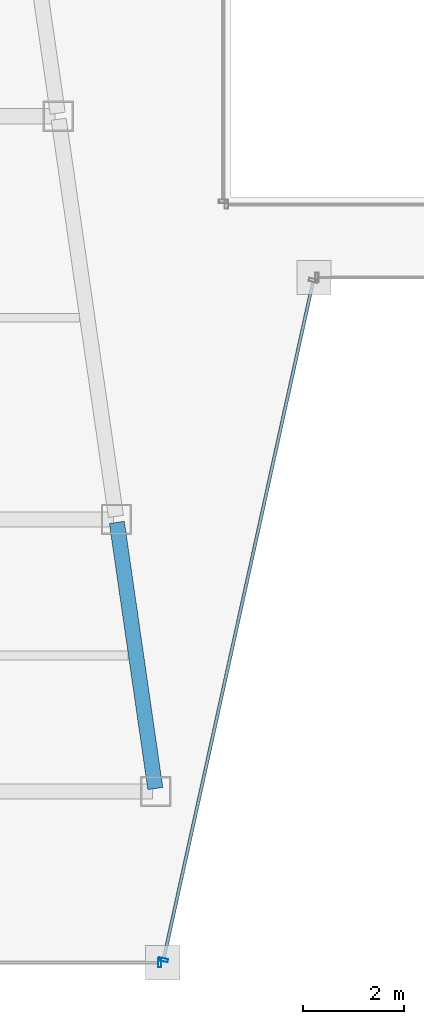
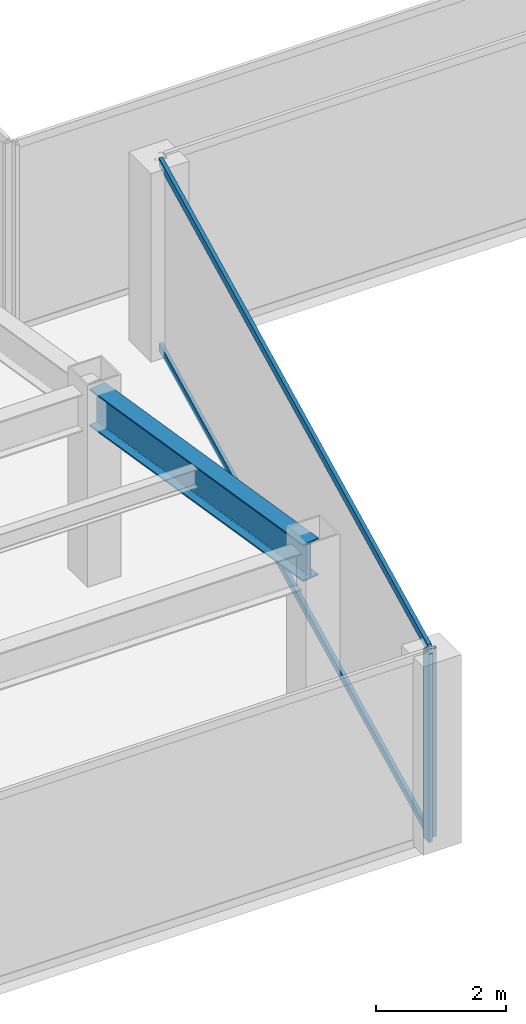
# One storey, part 5 of 36: 4 members, 1 beam, 2 elements without a shape of their own.
"""IFC4 building model written with IfcOpenShell, lengths in metres."""

from ifc_helpers import new_model, si_unit, direction, frame, origin, origin_2d, place, context, subcontext, project, spatial, hollow_rectangle, i_section, extrude, material, material_profile, profile_set, type_object, element, aggregate, save


model = new_model("IFC4")

# Units and contexts
model_context = context("Model", 3, precision=1e-05, world=origin(), true_north=direction((0.0, 1.0)))
body_context = subcontext(model_context, "Body", "Model", "MODEL_VIEW")
ifc_project = project(units=[si_unit("LENGTHUNIT", "METRE"), si_unit("AREAUNIT", "SQUARE_METRE"), si_unit("VOLUMEUNIT", "CUBIC_METRE"), si_unit("PLANEANGLEUNIT", "RADIAN"), si_unit("MASSUNIT", "GRAM", prefix="KILO")], contexts=[model_context])

# Site, building, storey
site_placement = place(None, origin())
site = spatial("IfcSite", under=ifc_project, at=site_placement, CompositionType="ELEMENT")
building_placement = place(site_placement, origin())
building = spatial("IfcBuilding", under=site, at=building_placement, Name="Saevonmaru Cultural Tower", CompositionType="ELEMENT")
storey_placement = place(building_placement, frame((0.0, 0.0, 156.199951171875)))
storey = spatial("IfcBuildingStorey", under=building, at=storey_placement, Name="L34", CompositionType="ELEMENT", Elevation=156.199951171875)

# Beam
ifc_material_1 = material(Name="Steel SM355", Category="steel")
ifc_material_profile_1 = material_profile(ifc_material_1, i_section(OverallWidth=0.300048828125, OverallDepth=0.699951171875, WebThickness=0.012939453125, FlangeThickness=0.02392578125, FilletRadius=0.02587890625, at=origin_2d()), Name="H-700x300x13x24")
ifc_profile_set_1 = profile_set([ifc_material_profile_1], Name="Steel SM355")
beam_type = type_object("IfcBeamType", Name="BM-G-H700", PredefinedType="BEAM", material=ifc_profile_set_1)
beam_placement = place(storey_placement, frame((22.699462890625, 10.659423828125, 3.199951171875), z_axis=(-0.142977693794, 0.989725911087, 0.0), x_axis=(-0.989725911087, -0.142977693794, 0.0)))
element("IfcBeam", 1, at=beam_placement, inside=storey, type_object=beam_type, Name="L34 West Atrium Girder 1", PredefinedType="BEAM", context=body_context, shape_type="SweptSolid", body=[
    extrude(i_section(OverallWidth=0.300048828125, OverallDepth=0.699951171875, WebThickness=0.012939453125, FlangeThickness=0.02392578125, FilletRadius=0.02587890625, at=origin_2d()), origin(), (0.0, 0.0, 1.0), 5.336181640625),
])

# Curtain wall, member
ifc_material_2 = material(Name="Satin Bronze Anodised Aluminium", Category="aluminium")
curtain_wall_type = type_object("IfcCurtainWallType", Name="CW-TYP-A", PredefinedType="NOTDEFINED", material=ifc_material_2)
curtain_wall_1_placement = place(storey_placement, origin())
curtain_wall_1 = element("IfcCurtainWall", 2, at=curtain_wall_1_placement, inside=storey, type_object=curtain_wall_type, Name="L34 Unitised Curtain Wall E2", PredefinedType="NOTDEFINED")
ifc_material_profile_2 = material_profile(ifc_material_2, hollow_rectangle(XDim=0.06494140625, YDim=0.179931640625, WallThickness=0.00390625, at=origin_2d()), Name="ALU-MULL-180x65x4")
ifc_profile_set_2 = profile_set([ifc_material_profile_2], Name="Satin Bronze Anodised Aluminium")
member_type_1 = type_object("IfcMemberType", Name="ML-CW-180x65", PredefinedType="MULLION", material=ifc_profile_set_2)
member_1_placement = place(storey_placement, frame((22.788818359375, 7.199951171875, 0.0), z_axis=(0.0, 0.0, 1.0), x_axis=(1.0, 0.0, 0.0)))
member_1 = element("IfcMember", 3, at=member_1_placement, type_object=member_type_1, Name="CW-TW-L34-E2 mullion 2", PredefinedType="MULLION", context=body_context, shape_type="SweptSolid", body=[
    extrude(hollow_rectangle(XDim=0.06494140625, YDim=0.179931640625, WallThickness=0.00390625, at=origin_2d()), origin(), (0.0, 0.0, 1.0), 3.550048828125),
])
aggregate(curtain_wall_1, [member_1])

# Curtain wall, members
curtain_wall_2_placement = place(storey_placement, origin())
curtain_wall_2 = element("IfcCurtainWall", 4, at=curtain_wall_2_placement, inside=storey, type_object=curtain_wall_type, Name="L34 Unitised Curtain Wall E3", PredefinedType="NOTDEFINED")
member_2_placement = place(storey_placement, frame((22.86181640625, 7.258544921875, 0.0), z_axis=(0.0, 0.0, 1.0), x_axis=(0.215413319953, 0.976522965212, 0.0)))
member_2 = element("IfcMember", 5, at=member_2_placement, type_object=member_type_1, Name="CW-TW-L34-E3 mullion 1", PredefinedType="MULLION", context=body_context, shape_type="SweptSolid", body=[
    extrude(hollow_rectangle(XDim=0.06494140625, YDim=0.179931640625, WallThickness=0.00390625, at=origin_2d()), origin(), (0.0, 0.0, 1.0), 3.550048828125),
])
ifc_material_profile_3 = material_profile(ifc_material_2, hollow_rectangle(XDim=0.06494140625, YDim=0.14990234375, WallThickness=0.00390625, at=origin_2d()), Name="ALU-TRAN-150x65x4")
ifc_profile_set_3 = profile_set([ifc_material_profile_3], Name="Satin Bronze Anodised Aluminium")
member_type_2 = type_object("IfcMemberType", Name="TR-CW-150x65", PredefinedType="USERDEFINED", material=ifc_profile_set_3)
member_3_placement = place(storey_placement, frame((22.868896484375, 7.290283203125, 0.032470703125), z_axis=(0.21541214732, 0.976523223885, 0.0), x_axis=(-0.976523223885, 0.21541214732, 0.0)))
member_3 = element("IfcMember", 6, at=member_3_placement, type_object=member_type_2, Name="CW-TW-L34-E3 transom 1.1", ObjectType="TRANSOM", PredefinedType="USERDEFINED", context=body_context, shape_type="SweptSolid", body=[
    extrude(hollow_rectangle(XDim=0.06494140625, YDim=0.14990234375, WallThickness=0.00390625, at=origin_2d()), origin(), (0.0, 0.0, 1.0), 13.741943359375),
])
member_4_placement = place(storey_placement, frame((22.868896484375, 7.290283203125, 3.517578125), z_axis=(0.21541214732, 0.976523223885, 0.0), x_axis=(-0.976523223885, 0.21541214732, 0.0)))
member_4 = element("IfcMember", 7, at=member_4_placement, type_object=member_type_2, Name="CW-TW-L34-E3 transom 1.2", ObjectType="TRANSOM", PredefinedType="USERDEFINED", context=body_context, shape_type="SweptSolid", body=[
    extrude(hollow_rectangle(XDim=0.06494140625, YDim=0.14990234375, WallThickness=0.00390625, at=origin_2d()), origin(), (0.0, 0.0, 1.0), 13.741943359375),
])
aggregate(curtain_wall_2, [member_2, member_3, member_4])

save(model, "model.ifc")
